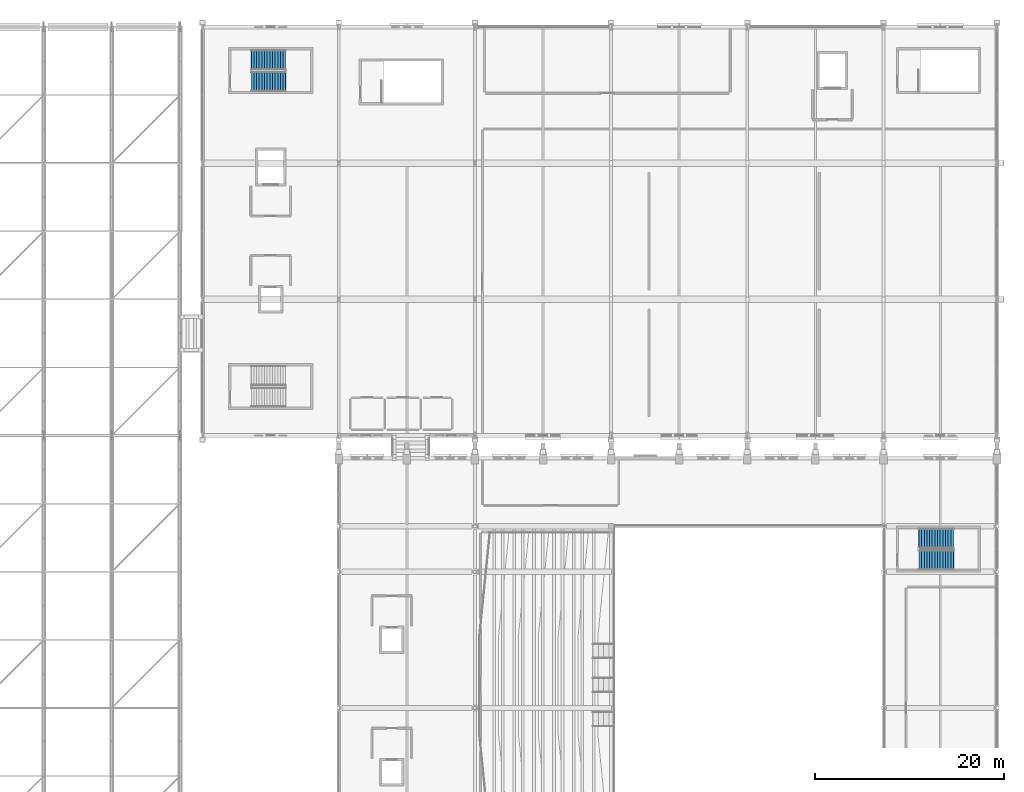
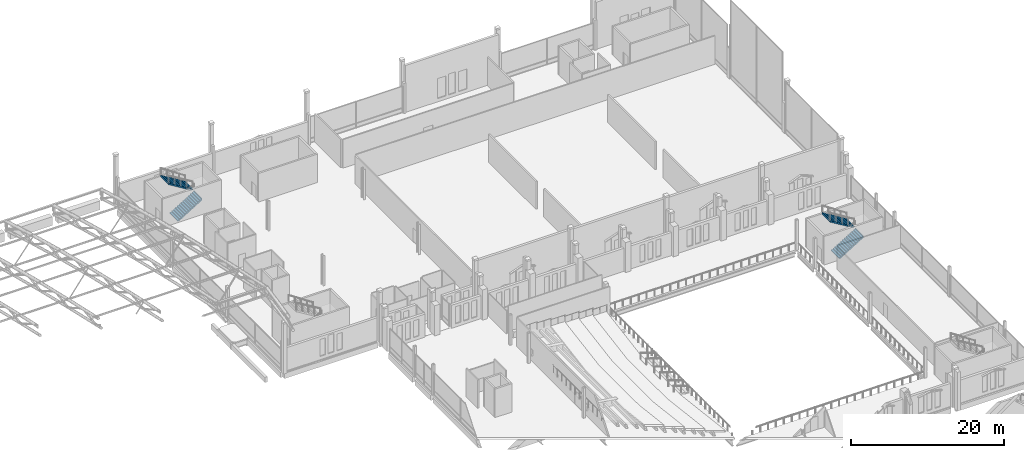
# One storey, part 170 of 193: 4 stair flights, 2 elements without a shape of their own.
"""IFC4 building model written with IfcOpenShell, lengths in metres."""

from ifc_helpers import new_model, si_unit, direction, frame, origin, place, context, subcontext, project, spatial, triangles, material, type_object, element, aggregate, save


model = new_model("IFC4")

# Units and contexts
model_context = context("Model", 3, precision=1e-05, world=origin(), true_north=direction((0.0, 1.0)))
body_context = subcontext(model_context, "Body", "Model", "MODEL_VIEW")
ifc_project = project(units=[si_unit("LENGTHUNIT", "METRE"), si_unit("AREAUNIT", "SQUARE_METRE"), si_unit("VOLUMEUNIT", "CUBIC_METRE"), si_unit("PLANEANGLEUNIT", "RADIAN"), si_unit("MASSUNIT", "GRAM", prefix="KILO")], contexts=[model_context])

# Site, building, storey
site_placement = place(None, origin())
site = spatial("IfcSite", under=ifc_project, at=site_placement, CompositionType="ELEMENT")
building_placement = place(site_placement, origin())
building = spatial("IfcBuilding", under=site, at=building_placement, Name="Cendralis Lancet Convention Centre", CompositionType="ELEMENT")
storey_placement = place(building_placement, frame((0.0, 0.0, 10.199951171875)))
storey = spatial("IfcBuildingStorey", under=building, at=storey_placement, Name="L02", CompositionType="ELEMENT", Elevation=10.199951171875)

# Stair, stair flights
ifc_material = material(Name="Concrete G35 (C35/45)", Category="concrete")
stair_type = type_object("IfcStairType", Name="ARC-ST-CORE", PredefinedType="HALF_TURN_STAIR", material=ifc_material)
stair_1_placement = place(storey_placement, origin())
stair_1 = element("IfcStair", 1, at=stair_1_placement, inside=storey, type_object=stair_type, Name="L02 Protected Exit Stair ST-05", PredefinedType="HALF_TURN_STAIR")
stair_flight_type = type_object("IfcStairFlightType", Name="ARC-SF-CORE", PredefinedType="STRAIGHT", material=ifc_material)
stair_flight_1_placement = place(storey_placement, frame((129.949951171875, 131.050048828125, 0.0), z_axis=(0.0, 0.0, 1.0), x_axis=(1.0, 0.0, 0.0)))
stair_flight_1 = element("IfcStairFlight", 2, at=stair_flight_1_placement, type_object=stair_flight_type, Name="ST-05 flight 1", NumberOfRisers=14, NumberOfTreads=13, PredefinedType="STRAIGHT", RiserHeight=0.171428571, TreadLength=0.28, context=body_context, shape_type="Tessellation", body=[
    triangles([(0.0, 0.0, 0.085714), (0.0, 1.050049, 0.0), (0.0, -1.050049, 0.0), (0.0, -1.050049, 0.171429), (0.0, 1.050049, 0.171429), (0.14, 0.0, 0.171429), (0.28, -1.050049, 0.171429), (0.28, 1.050049, 0.171429), (0.14, 0.0, 0.0), (0.28, -1.050049, 0.0), (0.28, 1.050049, 0.0), (0.28, 0.0, 0.257143), (0.28, -1.050049, 0.342857), (0.28, 1.050049, 0.342857), (0.283543, 0.0, 0.342857), (0.287085, -1.050049, 0.342857), (0.287085, 1.050049, 0.342857), (0.283543, 0.0, 0.0), (0.287085, -1.050049, 0.0), (0.287085, 1.050049, 0.0), (0.423543, 0.0, 0.342857), (0.56, -1.050049, 0.342857), (0.56, 1.050049, 0.342857), (0.423543, 0.0, 0.083545), (0.56, -1.050049, 0.167091), (0.56, 1.050049, 0.167091), (0.56, 0.0, 0.428572), (0.56, -1.050049, 0.514286), (0.56, 1.050049, 0.514286), (0.7, 0.0, 0.514286), (0.84, -1.050049, 0.514286), (0.84, 1.050049, 0.514286), (0.7, 0.0, 0.252806), (0.84, -1.050049, 0.33852), (0.84, 1.050049, 0.33852), (0.84, 0.0, 0.6), (0.84, -1.050049, 0.685714), (0.84, 1.050049, 0.685714), (0.98, 0.0, 0.685714), (1.12, -1.050049, 0.685714), (1.12, 1.050049, 0.685714), (0.98, 0.0, 0.424234), (1.12, -1.050049, 0.509948), (1.12, 1.050049, 0.509948), (1.12, 0.0, 0.771429), (1.12, -1.050049, 0.857143), (1.12, 1.050049, 0.857143), (1.26, 0.0, 0.857143), (1.4, -1.050049, 0.857143), (1.4, 1.050049, 0.857143), (1.26, 0.0, 0.595662), (1.4, -1.050049, 0.681377), (1.4, 1.050049, 0.681377), (1.4, 0.0, 0.942857), (1.4, -1.050049, 1.028571), (1.4, 1.050049, 1.028571), (1.54, 0.0, 1.028571), (1.68, -1.050049, 1.028571), (1.68, 1.050049, 1.028571), (1.54, 0.0, 0.767091), (1.68, -1.050049, 0.852805), (1.68, 1.050049, 0.852805), (1.68, 0.0, 1.114286), (1.68, -1.050049, 1.2), (1.68, 1.050049, 1.2), (1.82, 0.0, 1.2), (1.96, -1.050049, 1.2), (1.96, 1.050049, 1.2), (1.82, 0.0, 0.938519), (1.96, -1.050049, 1.024234), (1.96, 1.050049, 1.024234), (1.96, 0.0, 1.285715), (1.96, -1.050049, 1.371429), (1.96, 1.050049, 1.371429), (2.1, 0.0, 1.371429), (2.24, -1.050049, 1.371429), (2.24, 1.050049, 1.371429), (2.1, 0.0, 1.109948), (2.24, -1.050049, 1.195662), (2.24, 1.050049, 1.195662), (2.24, 0.0, 1.457143), (2.24, -1.050049, 1.542857), (2.24, 1.050049, 1.542857), (2.38, 0.0, 1.542857), (2.52, -1.050049, 1.542857), (2.52, 1.050049, 1.542857), (2.38, 0.0, 1.281376), (2.52, -1.050049, 1.367091), (2.52, 1.050049, 1.367091), (2.52, 0.0, 1.628572), (2.52, -1.050049, 1.714286), (2.52, 1.050049, 1.714286), (2.66, 0.0, 1.714286), (2.8, -1.050049, 1.714286), (2.8, 1.050049, 1.714286), (2.66, 0.0, 1.452806), (2.8, -1.050049, 1.53852), (2.8, 1.050049, 1.53852), (2.8, 0.0, 1.8), (2.8, -1.050049, 1.885714), (2.8, 1.050049, 1.885714), (2.94, 0.0, 1.885714), (3.08, -1.050049, 1.885714), (3.08, 1.050049, 1.885714), (2.94, 0.0, 1.624234), (3.08, -1.050049, 1.709948), (3.08, 1.050049, 1.709948), (3.08, 0.0, 1.971429), (3.08, -1.050049, 2.057143), (3.08, 1.050049, 2.057143), (3.22, 0.0, 2.057143), (3.36, -1.050049, 2.057143), (3.36, 1.050049, 2.057143), (3.22, 0.0, 1.795663), (3.36, -1.050049, 1.881377), (3.36, 1.050049, 1.881377), (3.36, 0.0, 2.142857), (3.36, -1.050049, 2.228571), (3.36, 1.050049, 2.228571), (3.5, 0.0, 2.228571), (3.64, -1.050049, 2.228571), (3.64, 1.050049, 2.228571), (3.5, 0.0, 1.967091), (3.64, -1.050049, 2.052805), (3.64, 1.050049, 2.052805), (3.64, 0.0, 2.314285), (3.64, -1.050049, 2.4), (3.64, 1.050049, 2.4), (3.66, 0.0, 2.4), (3.68, -1.050049, 2.4), (3.68, 1.050049, 2.4), (3.66, 0.0, 2.052805), (3.68, -1.050049, 2.052805), (3.68, 1.050049, 2.052805), (3.68, 0.0, 2.226403)], [[2, 3, 1], [3, 4, 1], [4, 5, 1], [5, 2, 1], [4, 7, 6], [7, 8, 6], [8, 5, 6], [5, 4, 6], [10, 3, 9], [3, 2, 9], [2, 11, 9], [11, 10, 9], [3, 10, 7], [3, 7, 4], [2, 8, 11], [2, 5, 8], [8, 7, 12], [7, 13, 12], [13, 14, 12], [14, 8, 12], [13, 16, 15], [16, 17, 15], [17, 14, 15], [14, 13, 15], [19, 10, 18], [10, 11, 18], [11, 20, 18], [20, 19, 18], [10, 19, 16], [10, 16, 7], [7, 16, 13], [11, 17, 20], [11, 8, 17], [8, 14, 17], [16, 22, 21], [22, 23, 21], [23, 17, 21], [17, 16, 21], [25, 19, 24], [19, 20, 24], [20, 26, 24], [26, 25, 24], [19, 25, 22], [19, 22, 16], [20, 23, 26], [20, 17, 23], [23, 22, 27], [22, 28, 27], [28, 29, 27], [29, 23, 27], [28, 31, 30], [31, 32, 30], [32, 29, 30], [29, 28, 30], [34, 25, 33], [25, 26, 33], [26, 35, 33], [35, 34, 33], [25, 34, 31], [25, 31, 22], [22, 31, 28], [26, 32, 35], [26, 23, 32], [23, 29, 32], [32, 31, 36], [31, 37, 36], [37, 38, 36], [38, 32, 36], [37, 40, 39], [40, 41, 39], [41, 38, 39], [38, 37, 39], [43, 34, 42], [34, 35, 42], [35, 44, 42], [44, 43, 42], [34, 43, 40], [34, 40, 31], [31, 40, 37], [35, 41, 44], [35, 32, 41], [32, 38, 41], [41, 40, 45], [40, 46, 45], [46, 47, 45], [47, 41, 45], [46, 49, 48], [49, 50, 48], [50, 47, 48], [47, 46, 48], [52, 43, 51], [43, 44, 51], [44, 53, 51], [53, 52, 51], [43, 52, 49], [43, 49, 40], [40, 49, 46], [44, 50, 53], [44, 41, 50], [41, 47, 50], [50, 49, 54], [49, 55, 54], [55, 56, 54], [56, 50, 54], [55, 58, 57], [58, 59, 57], [59, 56, 57], [56, 55, 57], [61, 52, 60], [52, 53, 60], [53, 62, 60], [62, 61, 60], [52, 61, 58], [52, 58, 49], [49, 58, 55], [53, 59, 62], [53, 50, 59], [50, 56, 59], [59, 58, 63], [58, 64, 63], [64, 65, 63], [65, 59, 63], [64, 67, 66], [67, 68, 66], [68, 65, 66], [65, 64, 66], [70, 61, 69], [61, 62, 69], [62, 71, 69], [71, 70, 69], [61, 70, 67], [61, 67, 58], [58, 67, 64], [62, 68, 71], [62, 59, 68], [59, 65, 68], [68, 67, 72], [67, 73, 72], [73, 74, 72], [74, 68, 72], [73, 76, 75], [76, 77, 75], [77, 74, 75], [74, 73, 75], [79, 70, 78], [70, 71, 78], [71, 80, 78], [80, 79, 78], [70, 79, 76], [70, 76, 67], [67, 76, 73], [71, 77, 80], [71, 68, 77], [68, 74, 77], [77, 76, 81], [76, 82, 81], [82, 83, 81], [83, 77, 81], [82, 85, 84], [85, 86, 84], [86, 83, 84], [83, 82, 84], [88, 79, 87], [79, 80, 87], [80, 89, 87], [89, 88, 87], [79, 88, 85], [79, 85, 76], [76, 85, 82], [80, 86, 89], [80, 77, 86], [77, 83, 86], [86, 85, 90], [85, 91, 90], [91, 92, 90], [92, 86, 90], [91, 94, 93], [94, 95, 93], [95, 92, 93], [92, 91, 93], [97, 88, 96], [88, 89, 96], [89, 98, 96], [98, 97, 96], [88, 97, 94], [88, 94, 85], [85, 94, 91], [89, 95, 98], [89, 86, 95], [86, 92, 95], [95, 94, 99], [94, 100, 99], [100, 101, 99], [101, 95, 99], [100, 103, 102], [103, 104, 102], [104, 101, 102], [101, 100, 102], [106, 97, 105], [97, 98, 105], [98, 107, 105], [107, 106, 105], [97, 106, 103], [97, 103, 94], [94, 103, 100], [98, 104, 107], [98, 95, 104], [95, 101, 104], [104, 103, 108], [103, 109, 108], [109, 110, 108], [110, 104, 108], [109, 112, 111], [112, 113, 111], [113, 110, 111], [110, 109, 111], [115, 106, 114], [106, 107, 114], [107, 116, 114], [116, 115, 114], [106, 115, 112], [106, 112, 103], [103, 112, 109], [107, 113, 116], [107, 104, 113], [104, 110, 113], [113, 112, 117], [112, 118, 117], [118, 119, 117], [119, 113, 117], [118, 121, 120], [121, 122, 120], [122, 119, 120], [119, 118, 120], [124, 115, 123], [115, 116, 123], [116, 125, 123], [125, 124, 123], [115, 124, 121], [115, 121, 112], [112, 121, 118], [116, 122, 125], [116, 113, 122], [113, 119, 122], [122, 121, 126], [121, 127, 126], [127, 128, 126], [128, 122, 126], [127, 130, 129], [130, 131, 129], [131, 128, 129], [128, 127, 129], [133, 124, 132], [124, 125, 132], [125, 134, 132], [134, 133, 132], [124, 133, 130], [124, 130, 121], [121, 130, 127], [125, 131, 134], [125, 122, 131], [122, 128, 131], [133, 134, 135], [134, 131, 135], [131, 130, 135], [130, 133, 135]], closed=True),
])
stair_flight_2_placement = place(storey_placement, frame((133.590087890625, 133.330078125, 2.400146484375), z_axis=(0.0, 0.0, 1.0), x_axis=(-1.0, 0.0, 0.0)))
stair_flight_2 = element("IfcStairFlight", 3, at=stair_flight_2_placement, type_object=stair_flight_type, Name="ST-05 flight 2", NumberOfRisers=14, NumberOfTreads=13, PredefinedType="STRAIGHT", RiserHeight=0.171428571, TreadLength=0.28, context=body_context, shape_type="Tessellation", body=[
    triangles([(0.0, 0.0, 0.085714), (0.0, 1.050049, 0.0), (0.0, -1.050049, 0.0), (0.0, -1.050049, 0.171429), (0.0, 1.050049, 0.171429), (0.14, 0.0, 0.171429), (0.28, -1.050049, 0.171429), (0.28, 1.050049, 0.171429), (0.14, 0.0, 0.0), (0.28, -1.050049, 0.0), (0.28, 1.050049, 0.0), (0.28, 0.0, 0.257143), (0.28, -1.050049, 0.342857), (0.28, 1.050049, 0.342857), (0.283543, 0.0, 0.342857), (0.287085, -1.050049, 0.342857), (0.287085, 1.050049, 0.342857), (0.283543, 0.0, 0.0), (0.287085, -1.050049, 0.0), (0.287085, 1.050049, 0.0), (0.423543, 0.0, 0.342857), (0.56, -1.050049, 0.342857), (0.56, 1.050049, 0.342857), (0.423543, 0.0, 0.083545), (0.56, -1.050049, 0.167091), (0.56, 1.050049, 0.167091), (0.56, 0.0, 0.428572), (0.56, -1.050049, 0.514286), (0.56, 1.050049, 0.514286), (0.7, 0.0, 0.514286), (0.84, -1.050049, 0.514286), (0.84, 1.050049, 0.514286), (0.7, 0.0, 0.252806), (0.84, -1.050049, 0.33852), (0.84, 1.050049, 0.33852), (0.84, 0.0, 0.6), (0.84, -1.050049, 0.685714), (0.84, 1.050049, 0.685714), (0.98, 0.0, 0.685714), (1.12, -1.050049, 0.685714), (1.12, 1.050049, 0.685714), (0.98, 0.0, 0.424234), (1.12, -1.050049, 0.509948), (1.12, 1.050049, 0.509948), (1.12, 0.0, 0.771429), (1.12, -1.050049, 0.857143), (1.12, 1.050049, 0.857143), (1.26, 0.0, 0.857143), (1.4, -1.050049, 0.857143), (1.4, 1.050049, 0.857143), (1.26, 0.0, 0.595662), (1.4, -1.050049, 0.681377), (1.4, 1.050049, 0.681377), (1.4, 0.0, 0.942857), (1.4, -1.050049, 1.028571), (1.4, 1.050049, 1.028571), (1.54, 0.0, 1.028571), (1.68, -1.050049, 1.028571), (1.68, 1.050049, 1.028571), (1.54, 0.0, 0.767091), (1.68, -1.050049, 0.852805), (1.68, 1.050049, 0.852805), (1.68, 0.0, 1.114286), (1.68, -1.050049, 1.2), (1.68, 1.050049, 1.2), (1.82, 0.0, 1.2), (1.96, -1.050049, 1.2), (1.96, 1.050049, 1.2), (1.82, 0.0, 0.938519), (1.96, -1.050049, 1.024234), (1.96, 1.050049, 1.024234), (1.96, 0.0, 1.285715), (1.96, -1.050049, 1.371429), (1.96, 1.050049, 1.371429), (2.1, 0.0, 1.371429), (2.24, -1.050049, 1.371429), (2.24, 1.050049, 1.371429), (2.1, 0.0, 1.109948), (2.24, -1.050049, 1.195662), (2.24, 1.050049, 1.195662), (2.24, 0.0, 1.457143), (2.24, -1.050049, 1.542857), (2.24, 1.050049, 1.542857), (2.38, 0.0, 1.542857), (2.52, -1.050049, 1.542857), (2.52, 1.050049, 1.542857), (2.38, 0.0, 1.281376), (2.52, -1.050049, 1.367091), (2.52, 1.050049, 1.367091), (2.52, 0.0, 1.628572), (2.52, -1.050049, 1.714286), (2.52, 1.050049, 1.714286), (2.66, 0.0, 1.714286), (2.8, -1.050049, 1.714286), (2.8, 1.050049, 1.714286), (2.66, 0.0, 1.452806), (2.8, -1.050049, 1.53852), (2.8, 1.050049, 1.53852), (2.8, 0.0, 1.8), (2.8, -1.050049, 1.885714), (2.8, 1.050049, 1.885714), (2.94, 0.0, 1.885714), (3.08, -1.050049, 1.885714), (3.08, 1.050049, 1.885714), (2.94, 0.0, 1.624234), (3.08, -1.050049, 1.709948), (3.08, 1.050049, 1.709948), (3.08, 0.0, 1.971429), (3.08, -1.050049, 2.057143), (3.08, 1.050049, 2.057143), (3.22, 0.0, 2.057143), (3.36, -1.050049, 2.057143), (3.36, 1.050049, 2.057143), (3.22, 0.0, 1.795663), (3.36, -1.050049, 1.881377), (3.36, 1.050049, 1.881377), (3.36, 0.0, 2.142857), (3.36, -1.050049, 2.228571), (3.36, 1.050049, 2.228571), (3.5, 0.0, 2.228571), (3.64, -1.050049, 2.228571), (3.64, 1.050049, 2.228571), (3.5, 0.0, 1.967091), (3.64, -1.050049, 2.052805), (3.64, 1.050049, 2.052805), (3.64, 0.0, 2.314285), (3.64, -1.050049, 2.4), (3.64, 1.050049, 2.4), (3.66, 0.0, 2.4), (3.68, -1.050049, 2.4), (3.68, 1.050049, 2.4), (3.66, 0.0, 2.052805), (3.68, -1.050049, 2.052805), (3.68, 1.050049, 2.052805), (3.68, 0.0, 2.226403)], [[2, 3, 1], [3, 4, 1], [4, 5, 1], [5, 2, 1], [4, 7, 6], [7, 8, 6], [8, 5, 6], [5, 4, 6], [10, 3, 9], [3, 2, 9], [2, 11, 9], [11, 10, 9], [3, 10, 7], [3, 7, 4], [2, 8, 11], [2, 5, 8], [8, 7, 12], [7, 13, 12], [13, 14, 12], [14, 8, 12], [13, 16, 15], [16, 17, 15], [17, 14, 15], [14, 13, 15], [19, 10, 18], [10, 11, 18], [11, 20, 18], [20, 19, 18], [10, 19, 16], [10, 16, 7], [7, 16, 13], [11, 17, 20], [11, 8, 17], [8, 14, 17], [16, 22, 21], [22, 23, 21], [23, 17, 21], [17, 16, 21], [25, 19, 24], [19, 20, 24], [20, 26, 24], [26, 25, 24], [19, 25, 22], [19, 22, 16], [20, 23, 26], [20, 17, 23], [23, 22, 27], [22, 28, 27], [28, 29, 27], [29, 23, 27], [28, 31, 30], [31, 32, 30], [32, 29, 30], [29, 28, 30], [34, 25, 33], [25, 26, 33], [26, 35, 33], [35, 34, 33], [25, 34, 31], [25, 31, 22], [22, 31, 28], [26, 32, 35], [26, 23, 32], [23, 29, 32], [32, 31, 36], [31, 37, 36], [37, 38, 36], [38, 32, 36], [37, 40, 39], [40, 41, 39], [41, 38, 39], [38, 37, 39], [43, 34, 42], [34, 35, 42], [35, 44, 42], [44, 43, 42], [34, 43, 40], [34, 40, 31], [31, 40, 37], [35, 41, 44], [35, 32, 41], [32, 38, 41], [41, 40, 45], [40, 46, 45], [46, 47, 45], [47, 41, 45], [46, 49, 48], [49, 50, 48], [50, 47, 48], [47, 46, 48], [52, 43, 51], [43, 44, 51], [44, 53, 51], [53, 52, 51], [43, 52, 49], [43, 49, 40], [40, 49, 46], [44, 50, 53], [44, 41, 50], [41, 47, 50], [50, 49, 54], [49, 55, 54], [55, 56, 54], [56, 50, 54], [55, 58, 57], [58, 59, 57], [59, 56, 57], [56, 55, 57], [61, 52, 60], [52, 53, 60], [53, 62, 60], [62, 61, 60], [52, 61, 58], [52, 58, 49], [49, 58, 55], [53, 59, 62], [53, 50, 59], [50, 56, 59], [59, 58, 63], [58, 64, 63], [64, 65, 63], [65, 59, 63], [64, 67, 66], [67, 68, 66], [68, 65, 66], [65, 64, 66], [70, 61, 69], [61, 62, 69], [62, 71, 69], [71, 70, 69], [61, 70, 67], [61, 67, 58], [58, 67, 64], [62, 68, 71], [62, 59, 68], [59, 65, 68], [68, 67, 72], [67, 73, 72], [73, 74, 72], [74, 68, 72], [73, 76, 75], [76, 77, 75], [77, 74, 75], [74, 73, 75], [79, 70, 78], [70, 71, 78], [71, 80, 78], [80, 79, 78], [70, 79, 76], [70, 76, 67], [67, 76, 73], [71, 77, 80], [71, 68, 77], [68, 74, 77], [77, 76, 81], [76, 82, 81], [82, 83, 81], [83, 77, 81], [82, 85, 84], [85, 86, 84], [86, 83, 84], [83, 82, 84], [88, 79, 87], [79, 80, 87], [80, 89, 87], [89, 88, 87], [79, 88, 85], [79, 85, 76], [76, 85, 82], [80, 86, 89], [80, 77, 86], [77, 83, 86], [86, 85, 90], [85, 91, 90], [91, 92, 90], [92, 86, 90], [91, 94, 93], [94, 95, 93], [95, 92, 93], [92, 91, 93], [97, 88, 96], [88, 89, 96], [89, 98, 96], [98, 97, 96], [88, 97, 94], [88, 94, 85], [85, 94, 91], [89, 95, 98], [89, 86, 95], [86, 92, 95], [95, 94, 99], [94, 100, 99], [100, 101, 99], [101, 95, 99], [100, 103, 102], [103, 104, 102], [104, 101, 102], [101, 100, 102], [106, 97, 105], [97, 98, 105], [98, 107, 105], [107, 106, 105], [97, 106, 103], [97, 103, 94], [94, 103, 100], [98, 104, 107], [98, 95, 104], [95, 101, 104], [104, 103, 108], [103, 109, 108], [109, 110, 108], [110, 104, 108], [109, 112, 111], [112, 113, 111], [113, 110, 111], [110, 109, 111], [115, 106, 114], [106, 107, 114], [107, 116, 114], [116, 115, 114], [106, 115, 112], [106, 112, 103], [103, 112, 109], [107, 113, 116], [107, 104, 113], [104, 110, 113], [113, 112, 117], [112, 118, 117], [118, 119, 117], [119, 113, 117], [118, 121, 120], [121, 122, 120], [122, 119, 120], [119, 118, 120], [124, 115, 123], [115, 116, 123], [116, 125, 123], [125, 124, 123], [115, 124, 121], [115, 121, 112], [112, 121, 118], [116, 122, 125], [116, 113, 122], [113, 119, 122], [122, 121, 126], [121, 127, 126], [127, 128, 126], [128, 122, 126], [127, 130, 129], [130, 131, 129], [131, 128, 129], [128, 127, 129], [133, 124, 132], [124, 125, 132], [125, 134, 132], [134, 133, 132], [124, 133, 130], [124, 130, 121], [121, 130, 127], [125, 131, 134], [125, 122, 131], [122, 128, 131], [133, 134, 135], [134, 131, 135], [131, 130, 135], [130, 133, 135]], closed=True),
])
aggregate(stair_1, [stair_flight_1, stair_flight_2])

stair_2_placement = place(storey_placement, origin())
stair_2 = element("IfcStair", 4, at=stair_2_placement, inside=storey, type_object=stair_type, Name="L02 Protected Exit Stair ST-10", PredefinedType="HALF_TURN_STAIR")
stair_flight_3_placement = place(storey_placement, frame((200.550048828125, 80.449951171875, 0.0), z_axis=(0.0, 0.0, 1.0), x_axis=(1.0, 0.0, 0.0)))
stair_flight_3 = element("IfcStairFlight", 5, at=stair_flight_3_placement, type_object=stair_flight_type, Name="ST-10 flight 1", NumberOfRisers=14, NumberOfTreads=13, PredefinedType="STRAIGHT", RiserHeight=0.171428571, TreadLength=0.28, context=body_context, shape_type="Tessellation", body=[
    triangles([(0.0, 0.0, 0.085714), (0.0, 1.050049, 0.0), (0.0, -1.050049, 0.0), (0.0, -1.050049, 0.171429), (0.0, 1.050049, 0.171429), (0.14, 0.0, 0.171429), (0.28, -1.050049, 0.171429), (0.28, 1.050049, 0.171429), (0.14, 0.0, 0.0), (0.28, -1.050049, 0.0), (0.28, 1.050049, 0.0), (0.28, 0.0, 0.257143), (0.28, -1.050049, 0.342857), (0.28, 1.050049, 0.342857), (0.283543, 0.0, 0.342857), (0.287085, -1.050049, 0.342857), (0.287085, 1.050049, 0.342857), (0.283543, 0.0, 0.0), (0.287085, -1.050049, 0.0), (0.287085, 1.050049, 0.0), (0.423543, 0.0, 0.342857), (0.56, -1.050049, 0.342857), (0.56, 1.050049, 0.342857), (0.423543, 0.0, 0.083545), (0.56, -1.050049, 0.167091), (0.56, 1.050049, 0.167091), (0.56, 0.0, 0.428572), (0.56, -1.050049, 0.514286), (0.56, 1.050049, 0.514286), (0.7, 0.0, 0.514286), (0.84, -1.050049, 0.514286), (0.84, 1.050049, 0.514286), (0.7, 0.0, 0.252806), (0.84, -1.050049, 0.33852), (0.84, 1.050049, 0.33852), (0.84, 0.0, 0.6), (0.84, -1.050049, 0.685714), (0.84, 1.050049, 0.685714), (0.98, 0.0, 0.685714), (1.12, -1.050049, 0.685714), (1.12, 1.050049, 0.685714), (0.98, 0.0, 0.424234), (1.12, -1.050049, 0.509948), (1.12, 1.050049, 0.509948), (1.12, 0.0, 0.771429), (1.12, -1.050049, 0.857143), (1.12, 1.050049, 0.857143), (1.26, 0.0, 0.857143), (1.4, -1.050049, 0.857143), (1.4, 1.050049, 0.857143), (1.26, 0.0, 0.595662), (1.4, -1.050049, 0.681377), (1.4, 1.050049, 0.681377), (1.4, 0.0, 0.942857), (1.4, -1.050049, 1.028571), (1.4, 1.050049, 1.028571), (1.54, 0.0, 1.028571), (1.68, -1.050049, 1.028571), (1.68, 1.050049, 1.028571), (1.54, 0.0, 0.767091), (1.68, -1.050049, 0.852805), (1.68, 1.050049, 0.852805), (1.68, 0.0, 1.114286), (1.68, -1.050049, 1.2), (1.68, 1.050049, 1.2), (1.82, 0.0, 1.2), (1.96, -1.050049, 1.2), (1.96, 1.050049, 1.2), (1.82, 0.0, 0.938519), (1.96, -1.050049, 1.024234), (1.96, 1.050049, 1.024234), (1.96, 0.0, 1.285715), (1.96, -1.050049, 1.371429), (1.96, 1.050049, 1.371429), (2.1, 0.0, 1.371429), (2.24, -1.050049, 1.371429), (2.24, 1.050049, 1.371429), (2.1, 0.0, 1.109948), (2.24, -1.050049, 1.195662), (2.24, 1.050049, 1.195662), (2.24, 0.0, 1.457143), (2.24, -1.050049, 1.542857), (2.24, 1.050049, 1.542857), (2.38, 0.0, 1.542857), (2.52, -1.050049, 1.542857), (2.52, 1.050049, 1.542857), (2.38, 0.0, 1.281376), (2.52, -1.050049, 1.367091), (2.52, 1.050049, 1.367091), (2.52, 0.0, 1.628572), (2.52, -1.050049, 1.714286), (2.52, 1.050049, 1.714286), (2.66, 0.0, 1.714286), (2.8, -1.050049, 1.714286), (2.8, 1.050049, 1.714286), (2.66, 0.0, 1.452806), (2.8, -1.050049, 1.53852), (2.8, 1.050049, 1.53852), (2.8, 0.0, 1.8), (2.8, -1.050049, 1.885714), (2.8, 1.050049, 1.885714), (2.94, 0.0, 1.885714), (3.08, -1.050049, 1.885714), (3.08, 1.050049, 1.885714), (2.94, 0.0, 1.624234), (3.08, -1.050049, 1.709948), (3.08, 1.050049, 1.709948), (3.08, 0.0, 1.971429), (3.08, -1.050049, 2.057143), (3.08, 1.050049, 2.057143), (3.22, 0.0, 2.057143), (3.36, -1.050049, 2.057143), (3.36, 1.050049, 2.057143), (3.22, 0.0, 1.795663), (3.36, -1.050049, 1.881377), (3.36, 1.050049, 1.881377), (3.36, 0.0, 2.142857), (3.36, -1.050049, 2.228571), (3.36, 1.050049, 2.228571), (3.5, 0.0, 2.228571), (3.64, -1.050049, 2.228571), (3.64, 1.050049, 2.228571), (3.5, 0.0, 1.967091), (3.64, -1.050049, 2.052805), (3.64, 1.050049, 2.052805), (3.64, 0.0, 2.314285), (3.64, -1.050049, 2.4), (3.64, 1.050049, 2.4), (3.66, 0.0, 2.4), (3.68, -1.050049, 2.4), (3.68, 1.050049, 2.4), (3.66, 0.0, 2.052805), (3.68, -1.050049, 2.052805), (3.68, 1.050049, 2.052805), (3.68, 0.0, 2.226403)], [[2, 3, 1], [3, 4, 1], [4, 5, 1], [5, 2, 1], [4, 7, 6], [7, 8, 6], [8, 5, 6], [5, 4, 6], [10, 3, 9], [3, 2, 9], [2, 11, 9], [11, 10, 9], [3, 10, 7], [3, 7, 4], [2, 8, 11], [2, 5, 8], [8, 7, 12], [7, 13, 12], [13, 14, 12], [14, 8, 12], [13, 16, 15], [16, 17, 15], [17, 14, 15], [14, 13, 15], [19, 10, 18], [10, 11, 18], [11, 20, 18], [20, 19, 18], [10, 19, 16], [10, 16, 7], [7, 16, 13], [11, 17, 20], [11, 8, 17], [8, 14, 17], [16, 22, 21], [22, 23, 21], [23, 17, 21], [17, 16, 21], [25, 19, 24], [19, 20, 24], [20, 26, 24], [26, 25, 24], [19, 25, 22], [19, 22, 16], [20, 23, 26], [20, 17, 23], [23, 22, 27], [22, 28, 27], [28, 29, 27], [29, 23, 27], [28, 31, 30], [31, 32, 30], [32, 29, 30], [29, 28, 30], [34, 25, 33], [25, 26, 33], [26, 35, 33], [35, 34, 33], [25, 34, 31], [25, 31, 22], [22, 31, 28], [26, 32, 35], [26, 23, 32], [23, 29, 32], [32, 31, 36], [31, 37, 36], [37, 38, 36], [38, 32, 36], [37, 40, 39], [40, 41, 39], [41, 38, 39], [38, 37, 39], [43, 34, 42], [34, 35, 42], [35, 44, 42], [44, 43, 42], [34, 43, 40], [34, 40, 31], [31, 40, 37], [35, 41, 44], [35, 32, 41], [32, 38, 41], [41, 40, 45], [40, 46, 45], [46, 47, 45], [47, 41, 45], [46, 49, 48], [49, 50, 48], [50, 47, 48], [47, 46, 48], [52, 43, 51], [43, 44, 51], [44, 53, 51], [53, 52, 51], [43, 52, 49], [43, 49, 40], [40, 49, 46], [44, 50, 53], [44, 41, 50], [41, 47, 50], [50, 49, 54], [49, 55, 54], [55, 56, 54], [56, 50, 54], [55, 58, 57], [58, 59, 57], [59, 56, 57], [56, 55, 57], [61, 52, 60], [52, 53, 60], [53, 62, 60], [62, 61, 60], [52, 61, 58], [52, 58, 49], [49, 58, 55], [53, 59, 62], [53, 50, 59], [50, 56, 59], [59, 58, 63], [58, 64, 63], [64, 65, 63], [65, 59, 63], [64, 67, 66], [67, 68, 66], [68, 65, 66], [65, 64, 66], [70, 61, 69], [61, 62, 69], [62, 71, 69], [71, 70, 69], [61, 70, 67], [61, 67, 58], [58, 67, 64], [62, 68, 71], [62, 59, 68], [59, 65, 68], [68, 67, 72], [67, 73, 72], [73, 74, 72], [74, 68, 72], [73, 76, 75], [76, 77, 75], [77, 74, 75], [74, 73, 75], [79, 70, 78], [70, 71, 78], [71, 80, 78], [80, 79, 78], [70, 79, 76], [70, 76, 67], [67, 76, 73], [71, 77, 80], [71, 68, 77], [68, 74, 77], [77, 76, 81], [76, 82, 81], [82, 83, 81], [83, 77, 81], [82, 85, 84], [85, 86, 84], [86, 83, 84], [83, 82, 84], [88, 79, 87], [79, 80, 87], [80, 89, 87], [89, 88, 87], [79, 88, 85], [79, 85, 76], [76, 85, 82], [80, 86, 89], [80, 77, 86], [77, 83, 86], [86, 85, 90], [85, 91, 90], [91, 92, 90], [92, 86, 90], [91, 94, 93], [94, 95, 93], [95, 92, 93], [92, 91, 93], [97, 88, 96], [88, 89, 96], [89, 98, 96], [98, 97, 96], [88, 97, 94], [88, 94, 85], [85, 94, 91], [89, 95, 98], [89, 86, 95], [86, 92, 95], [95, 94, 99], [94, 100, 99], [100, 101, 99], [101, 95, 99], [100, 103, 102], [103, 104, 102], [104, 101, 102], [101, 100, 102], [106, 97, 105], [97, 98, 105], [98, 107, 105], [107, 106, 105], [97, 106, 103], [97, 103, 94], [94, 103, 100], [98, 104, 107], [98, 95, 104], [95, 101, 104], [104, 103, 108], [103, 109, 108], [109, 110, 108], [110, 104, 108], [109, 112, 111], [112, 113, 111], [113, 110, 111], [110, 109, 111], [115, 106, 114], [106, 107, 114], [107, 116, 114], [116, 115, 114], [106, 115, 112], [106, 112, 103], [103, 112, 109], [107, 113, 116], [107, 104, 113], [104, 110, 113], [113, 112, 117], [112, 118, 117], [118, 119, 117], [119, 113, 117], [118, 121, 120], [121, 122, 120], [122, 119, 120], [119, 118, 120], [124, 115, 123], [115, 116, 123], [116, 125, 123], [125, 124, 123], [115, 124, 121], [115, 121, 112], [112, 121, 118], [116, 122, 125], [116, 113, 122], [113, 119, 122], [122, 121, 126], [121, 127, 126], [127, 128, 126], [128, 122, 126], [127, 130, 129], [130, 131, 129], [131, 128, 129], [128, 127, 129], [133, 124, 132], [124, 125, 132], [125, 134, 132], [134, 133, 132], [124, 133, 130], [124, 130, 121], [121, 130, 127], [125, 131, 134], [125, 122, 131], [122, 128, 131], [133, 134, 135], [134, 131, 135], [131, 130, 135], [130, 133, 135]], closed=True),
])
stair_flight_4_placement = place(storey_placement, frame((204.18994140625, 82.72998046875, 2.400146484375), z_axis=(0.0, 0.0, 1.0), x_axis=(-1.0, 0.0, 0.0)))
stair_flight_4 = element("IfcStairFlight", 6, at=stair_flight_4_placement, type_object=stair_flight_type, Name="ST-10 flight 2", NumberOfRisers=14, NumberOfTreads=13, PredefinedType="STRAIGHT", RiserHeight=0.171428571, TreadLength=0.28, context=body_context, shape_type="Tessellation", body=[
    triangles([(0.0, 0.0, 0.085714), (0.0, 1.050049, 0.0), (0.0, -1.050049, 0.0), (0.0, -1.050049, 0.171429), (0.0, 1.050049, 0.171429), (0.14, 0.0, 0.171429), (0.28, -1.050049, 0.171429), (0.28, 1.050049, 0.171429), (0.14, 0.0, 0.0), (0.28, -1.050049, 0.0), (0.28, 1.050049, 0.0), (0.28, 0.0, 0.257143), (0.28, -1.050049, 0.342857), (0.28, 1.050049, 0.342857), (0.283543, 0.0, 0.342857), (0.287085, -1.050049, 0.342857), (0.287085, 1.050049, 0.342857), (0.283543, 0.0, 0.0), (0.287085, -1.050049, 0.0), (0.287085, 1.050049, 0.0), (0.423543, 0.0, 0.342857), (0.56, -1.050049, 0.342857), (0.56, 1.050049, 0.342857), (0.423543, 0.0, 0.083545), (0.56, -1.050049, 0.167091), (0.56, 1.050049, 0.167091), (0.56, 0.0, 0.428572), (0.56, -1.050049, 0.514286), (0.56, 1.050049, 0.514286), (0.7, 0.0, 0.514286), (0.84, -1.050049, 0.514286), (0.84, 1.050049, 0.514286), (0.7, 0.0, 0.252806), (0.84, -1.050049, 0.33852), (0.84, 1.050049, 0.33852), (0.84, 0.0, 0.6), (0.84, -1.050049, 0.685714), (0.84, 1.050049, 0.685714), (0.98, 0.0, 0.685714), (1.12, -1.050049, 0.685714), (1.12, 1.050049, 0.685714), (0.98, 0.0, 0.424234), (1.12, -1.050049, 0.509948), (1.12, 1.050049, 0.509948), (1.12, 0.0, 0.771429), (1.12, -1.050049, 0.857143), (1.12, 1.050049, 0.857143), (1.26, 0.0, 0.857143), (1.4, -1.050049, 0.857143), (1.4, 1.050049, 0.857143), (1.26, 0.0, 0.595662), (1.4, -1.050049, 0.681377), (1.4, 1.050049, 0.681377), (1.4, 0.0, 0.942857), (1.4, -1.050049, 1.028571), (1.4, 1.050049, 1.028571), (1.54, 0.0, 1.028571), (1.68, -1.050049, 1.028571), (1.68, 1.050049, 1.028571), (1.54, 0.0, 0.767091), (1.68, -1.050049, 0.852805), (1.68, 1.050049, 0.852805), (1.68, 0.0, 1.114286), (1.68, -1.050049, 1.2), (1.68, 1.050049, 1.2), (1.82, 0.0, 1.2), (1.96, -1.050049, 1.2), (1.96, 1.050049, 1.2), (1.82, 0.0, 0.938519), (1.96, -1.050049, 1.024234), (1.96, 1.050049, 1.024234), (1.96, 0.0, 1.285715), (1.96, -1.050049, 1.371429), (1.96, 1.050049, 1.371429), (2.1, 0.0, 1.371429), (2.24, -1.050049, 1.371429), (2.24, 1.050049, 1.371429), (2.1, 0.0, 1.109948), (2.24, -1.050049, 1.195662), (2.24, 1.050049, 1.195662), (2.24, 0.0, 1.457143), (2.24, -1.050049, 1.542857), (2.24, 1.050049, 1.542857), (2.38, 0.0, 1.542857), (2.52, -1.050049, 1.542857), (2.52, 1.050049, 1.542857), (2.38, 0.0, 1.281376), (2.52, -1.050049, 1.367091), (2.52, 1.050049, 1.367091), (2.52, 0.0, 1.628572), (2.52, -1.050049, 1.714286), (2.52, 1.050049, 1.714286), (2.66, 0.0, 1.714286), (2.8, -1.050049, 1.714286), (2.8, 1.050049, 1.714286), (2.66, 0.0, 1.452806), (2.8, -1.050049, 1.53852), (2.8, 1.050049, 1.53852), (2.8, 0.0, 1.8), (2.8, -1.050049, 1.885714), (2.8, 1.050049, 1.885714), (2.94, 0.0, 1.885714), (3.08, -1.050049, 1.885714), (3.08, 1.050049, 1.885714), (2.94, 0.0, 1.624234), (3.08, -1.050049, 1.709948), (3.08, 1.050049, 1.709948), (3.08, 0.0, 1.971429), (3.08, -1.050049, 2.057143), (3.08, 1.050049, 2.057143), (3.22, 0.0, 2.057143), (3.36, -1.050049, 2.057143), (3.36, 1.050049, 2.057143), (3.22, 0.0, 1.795663), (3.36, -1.050049, 1.881377), (3.36, 1.050049, 1.881377), (3.36, 0.0, 2.142857), (3.36, -1.050049, 2.228571), (3.36, 1.050049, 2.228571), (3.5, 0.0, 2.228571), (3.64, -1.050049, 2.228571), (3.64, 1.050049, 2.228571), (3.5, 0.0, 1.967091), (3.64, -1.050049, 2.052805), (3.64, 1.050049, 2.052805), (3.64, 0.0, 2.314285), (3.64, -1.050049, 2.4), (3.64, 1.050049, 2.4), (3.66, 0.0, 2.4), (3.68, -1.050049, 2.4), (3.68, 1.050049, 2.4), (3.66, 0.0, 2.052805), (3.68, -1.050049, 2.052805), (3.68, 1.050049, 2.052805), (3.68, 0.0, 2.226403)], [[2, 3, 1], [3, 4, 1], [4, 5, 1], [5, 2, 1], [4, 7, 6], [7, 8, 6], [8, 5, 6], [5, 4, 6], [10, 3, 9], [3, 2, 9], [2, 11, 9], [11, 10, 9], [3, 10, 7], [3, 7, 4], [2, 8, 11], [2, 5, 8], [8, 7, 12], [7, 13, 12], [13, 14, 12], [14, 8, 12], [13, 16, 15], [16, 17, 15], [17, 14, 15], [14, 13, 15], [19, 10, 18], [10, 11, 18], [11, 20, 18], [20, 19, 18], [10, 19, 16], [10, 16, 7], [7, 16, 13], [11, 17, 20], [11, 8, 17], [8, 14, 17], [16, 22, 21], [22, 23, 21], [23, 17, 21], [17, 16, 21], [25, 19, 24], [19, 20, 24], [20, 26, 24], [26, 25, 24], [19, 25, 22], [19, 22, 16], [20, 23, 26], [20, 17, 23], [23, 22, 27], [22, 28, 27], [28, 29, 27], [29, 23, 27], [28, 31, 30], [31, 32, 30], [32, 29, 30], [29, 28, 30], [34, 25, 33], [25, 26, 33], [26, 35, 33], [35, 34, 33], [25, 34, 31], [25, 31, 22], [22, 31, 28], [26, 32, 35], [26, 23, 32], [23, 29, 32], [32, 31, 36], [31, 37, 36], [37, 38, 36], [38, 32, 36], [37, 40, 39], [40, 41, 39], [41, 38, 39], [38, 37, 39], [43, 34, 42], [34, 35, 42], [35, 44, 42], [44, 43, 42], [34, 43, 40], [34, 40, 31], [31, 40, 37], [35, 41, 44], [35, 32, 41], [32, 38, 41], [41, 40, 45], [40, 46, 45], [46, 47, 45], [47, 41, 45], [46, 49, 48], [49, 50, 48], [50, 47, 48], [47, 46, 48], [52, 43, 51], [43, 44, 51], [44, 53, 51], [53, 52, 51], [43, 52, 49], [43, 49, 40], [40, 49, 46], [44, 50, 53], [44, 41, 50], [41, 47, 50], [50, 49, 54], [49, 55, 54], [55, 56, 54], [56, 50, 54], [55, 58, 57], [58, 59, 57], [59, 56, 57], [56, 55, 57], [61, 52, 60], [52, 53, 60], [53, 62, 60], [62, 61, 60], [52, 61, 58], [52, 58, 49], [49, 58, 55], [53, 59, 62], [53, 50, 59], [50, 56, 59], [59, 58, 63], [58, 64, 63], [64, 65, 63], [65, 59, 63], [64, 67, 66], [67, 68, 66], [68, 65, 66], [65, 64, 66], [70, 61, 69], [61, 62, 69], [62, 71, 69], [71, 70, 69], [61, 70, 67], [61, 67, 58], [58, 67, 64], [62, 68, 71], [62, 59, 68], [59, 65, 68], [68, 67, 72], [67, 73, 72], [73, 74, 72], [74, 68, 72], [73, 76, 75], [76, 77, 75], [77, 74, 75], [74, 73, 75], [79, 70, 78], [70, 71, 78], [71, 80, 78], [80, 79, 78], [70, 79, 76], [70, 76, 67], [67, 76, 73], [71, 77, 80], [71, 68, 77], [68, 74, 77], [77, 76, 81], [76, 82, 81], [82, 83, 81], [83, 77, 81], [82, 85, 84], [85, 86, 84], [86, 83, 84], [83, 82, 84], [88, 79, 87], [79, 80, 87], [80, 89, 87], [89, 88, 87], [79, 88, 85], [79, 85, 76], [76, 85, 82], [80, 86, 89], [80, 77, 86], [77, 83, 86], [86, 85, 90], [85, 91, 90], [91, 92, 90], [92, 86, 90], [91, 94, 93], [94, 95, 93], [95, 92, 93], [92, 91, 93], [97, 88, 96], [88, 89, 96], [89, 98, 96], [98, 97, 96], [88, 97, 94], [88, 94, 85], [85, 94, 91], [89, 95, 98], [89, 86, 95], [86, 92, 95], [95, 94, 99], [94, 100, 99], [100, 101, 99], [101, 95, 99], [100, 103, 102], [103, 104, 102], [104, 101, 102], [101, 100, 102], [106, 97, 105], [97, 98, 105], [98, 107, 105], [107, 106, 105], [97, 106, 103], [97, 103, 94], [94, 103, 100], [98, 104, 107], [98, 95, 104], [95, 101, 104], [104, 103, 108], [103, 109, 108], [109, 110, 108], [110, 104, 108], [109, 112, 111], [112, 113, 111], [113, 110, 111], [110, 109, 111], [115, 106, 114], [106, 107, 114], [107, 116, 114], [116, 115, 114], [106, 115, 112], [106, 112, 103], [103, 112, 109], [107, 113, 116], [107, 104, 113], [104, 110, 113], [113, 112, 117], [112, 118, 117], [118, 119, 117], [119, 113, 117], [118, 121, 120], [121, 122, 120], [122, 119, 120], [119, 118, 120], [124, 115, 123], [115, 116, 123], [116, 125, 123], [125, 124, 123], [115, 124, 121], [115, 121, 112], [112, 121, 118], [116, 122, 125], [116, 113, 122], [113, 119, 122], [122, 121, 126], [121, 127, 126], [127, 128, 126], [128, 122, 126], [127, 130, 129], [130, 131, 129], [131, 128, 129], [128, 127, 129], [133, 124, 132], [124, 125, 132], [125, 134, 132], [134, 133, 132], [124, 133, 130], [124, 130, 121], [121, 130, 127], [125, 131, 134], [125, 122, 131], [122, 128, 131], [133, 134, 135], [134, 131, 135], [131, 130, 135], [130, 133, 135]], closed=True),
])
aggregate(stair_2, [stair_flight_3, stair_flight_4])

save(model, "model.ifc")
